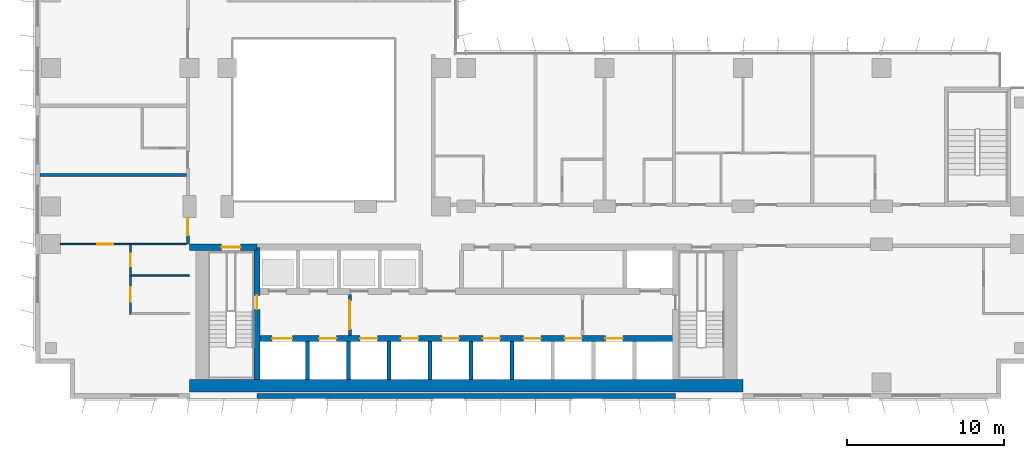
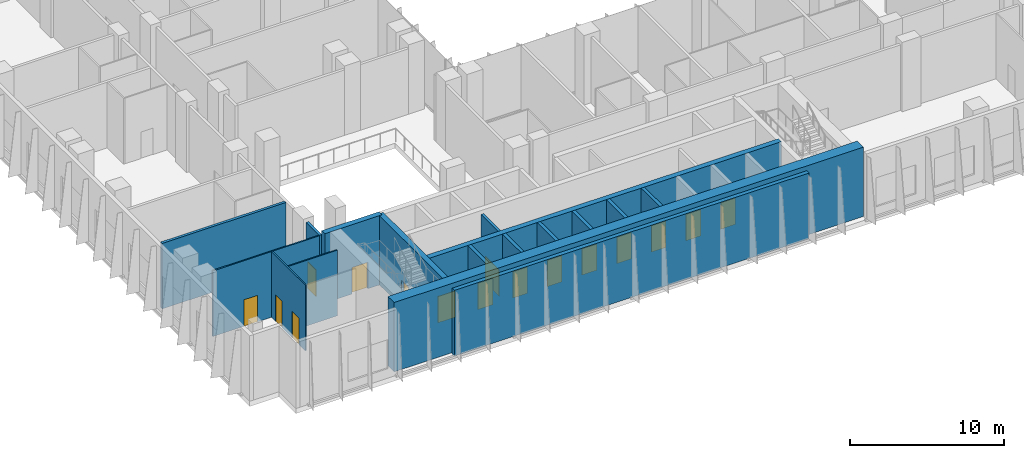
# One storey, part 12 of 26: 17 walls, 16 doors, 16 openings.
"""IFC4 building model written with IfcOpenShell, lengths in metres."""

from ifc_helpers import new_model, si_unit, direction, frame, frame_2d, origin, place, context, subcontext, project, spatial, rectangle, extrude, material, layer, layer_set, type_object, element, fill, save


model = new_model("IFC4")

# Units and contexts
model_context = context("Model", 3, precision=1e-05, world=origin(), true_north=direction((0.0, 1.0)))
body_context = subcontext(model_context, "Body", "Model", "MODEL_VIEW")
ifc_project = project(units=[si_unit("LENGTHUNIT", "METRE"), si_unit("AREAUNIT", "SQUARE_METRE"), si_unit("VOLUMEUNIT", "CUBIC_METRE"), si_unit("PLANEANGLEUNIT", "RADIAN"), si_unit("MASSUNIT", "GRAM", prefix="KILO")], contexts=[model_context])

# Site, building, storey
site_placement = place(None, origin())
site = spatial("IfcSite", under=ifc_project, at=site_placement, CompositionType="ELEMENT")
building_placement = place(site_placement, origin())
building = spatial("IfcBuilding", under=site, at=building_placement, Name="Kemantara Hotel Tower", CompositionType="ELEMENT")
storey_placement = place(building_placement, frame((0.0, 0.0, 101.89990234375)))
storey = spatial("IfcBuildingStorey", under=building, at=storey_placement, Name="L24", CompositionType="ELEMENT", Elevation=101.89990234375)

# Walls
ifc_material_1 = material(Name="Bronze anodised aluminium cladding on insulated steel stud wall", Category="steel")
ifc_layer_1 = layer(ifc_material_1, 0.300048828125)
ifc_layer_set_1 = layer_set([ifc_layer_1], Name="Bronze anodised aluminium cladding on insulated steel stud wall")
wall_type_1 = type_object("IfcWallType", Name="BRONZE METAL-CLAD EXTERNAL WALL 300", PredefinedType="STANDARD", material=ifc_layer_set_1)
wall_1_placement = place(storey_placement, frame((14.10009765625, 0.14990234375, 0.0), z_axis=(0.0, 0.0, 1.0), x_axis=(1.0, 0.0, 0.0)))
element("IfcWall", 1, at=wall_1_placement, inside=storey, type_object=wall_type_1, Name="EXTERNAL WALL L24 T2-R07-2", PredefinedType="STANDARD", context=body_context, shape_type="SweptSolid", body=[
    extrude(rectangle(XDim=26.599853515625, YDim=0.300048828125, at=frame_2d((13.2998046875, 0.0))), origin(), (0.0, 0.0, 1.0), 5.2001953125),
])
ifc_material_2 = material(Name="Concrete fc 70 MPa", Category="concrete")
ifc_layer_2 = layer(ifc_material_2, 0.25)
ifc_layer_set_2 = layer_set([ifc_layer_2], Name="Concrete fc 70 MPa")
wall_type_2 = type_object("IfcWallType", Name="CORE WALL 250 FC70", PredefinedType="SHEAR", material=ifc_layer_set_2)
for number, where, z_axis, x_axis, name in (
    (2, (17.300048828125, 1.199951171875, 0.0), (0.0, 0.0, 1.0), (0.0, 1.0, 0.0), "CORE WALL CW-DS17.3"),
    (3, (19.89990234375, 1.199951171875, 0.0), (0.0, 0.0, 1.0), (0.0, 1.0, 0.0), "CORE WALL CW-DS19.9"),
    (4, (22.5, 1.199951171875, 0.0), (0.0, 0.0, 1.0), (0.0, 1.0, 0.0), "CORE WALL CW-DS22.5"),
    (5, (25.10009765625, 1.199951171875, 0.0), (0.0, 0.0, 1.0), (0.0, 1.0, 0.0), "CORE WALL CW-DS25.1"),
    (6, (27.699951171875, 1.199951171875, 0.0), (0.0, 0.0, 1.0), (0.0, 1.0, 0.0), "CORE WALL CW-DS27.7"),
    (7, (30.300048828125, 1.199951171875, 0.0), (0.0, 0.0, 1.0), (0.0, 1.0, 0.0), "CORE WALL CW-DS30.3"),
):
    element("IfcWall", number, at=place(storey_placement, frame(where, z_axis=z_axis, x_axis=x_axis)), inside=storey, type_object=wall_type_2, Name=name, PredefinedType="SHEAR", context=body_context, shape_type="SweptSolid", body=[
        extrude(rectangle(XDim=2.400146484375, YDim=0.25, at=frame_2d((1.2001953125, 0.0))), origin(), (0.0, 0.0, 1.0), 5.5),
    ])

# Wall, opening, door
ifc_layer_3 = layer(ifc_material_2, 0.39990234375)
ifc_layer_set_3 = layer_set([ifc_layer_3], Name="Concrete fc 70 MPa")
wall_type_3 = type_object("IfcWallType", Name="CORE WALL 400 FC70", PredefinedType="SHEAR", material=ifc_layer_set_3)
wall_2_placement = place(storey_placement, frame((9.800048828125, 9.60009765625, 0.0), z_axis=(0.0, 0.0, 1.0), x_axis=(1.0, 0.0, 0.0)))
wall_2 = element("IfcWall", 8, at=wall_2_placement, inside=storey, type_object=wall_type_3, Name="CORE WALL CW-N1", PredefinedType="SHEAR", context=body_context, shape_type="SweptSolid", body=[
    extrude(rectangle(XDim=4.300048828125, YDim=0.39990234375, at=frame_2d((2.14990234375, 0.0))), origin(), (0.0, 0.0, 1.0), 5.5),
])
opening_1_placement = place(wall_2_placement, frame((2.050048828125, 0.0, 0.0)))
opening_1 = element("IfcOpeningElement", 9, at=opening_1_placement, cuts=wall_2, Name="Opening C17-ST1-C", PredefinedType="OPENING", context=body_context, shape_type="SweptSolid", body=[
    extrude(rectangle(XDim=1.199951171875, YDim=2.10009765625, at=frame_2d((0.60009765625, 1.050048828125))), frame((0.0, 0.2099609375, 0.0), z_axis=(0.0, -1.0, 0.0), x_axis=(1.0, 0.0, 0.0)), (0.0, 0.0, 1.0), 0.419921875),
])
ifc_material_3 = material(Name="Steel fire door", Category="steel")
door_type_1 = type_object("IfcDoorType", Name="Fire door FD90 1200 x 2100", OperationType="NOTDEFINED", PredefinedType="DOOR", material=ifc_material_3)
door_1_placement = place(opening_1_placement, frame((1.199951171875, 0.0, 0.0), z_axis=(0.0, 0.0, 1.0), x_axis=(-1.0, 0.0, 0.0)))
door_1 = element("IfcDoor", 10, at=door_1_placement, inside=storey, type_object=door_type_1, Name="Stair ST1 door to corridor", OperationType="SINGLE_SWING_LEFT", OverallHeight=2.10009765625, OverallWidth=1.199951171875, PredefinedType="DOOR", context=body_context, shape_type="SweptSolid", body=[
    extrude(rectangle(XDim=1.199951171875, YDim=2.10009765625, at=frame_2d((0.60009765625, 1.050048828125))), frame((0.0, 0.02490234375, 0.0), z_axis=(0.0, -1.0, 0.0), x_axis=(1.0, 0.0, 0.0)), (0.0, 0.0, 1.0), 0.050048828125),
])
fill(opening_1, door_1)

# Wall, openings, doors
wall_3_placement = place(storey_placement, frame((14.10009765625, 3.800048828125, 0.0), z_axis=(0.0, 0.0, 1.0), x_axis=(1.0, 0.0, 0.0)))
wall_3 = element("IfcWall", 11, at=wall_3_placement, inside=storey, type_object=wall_type_3, Name="CORE WALL CW-L1", PredefinedType="SHEAR", context=body_context, shape_type="SweptSolid", body=[
    extrude(rectangle(XDim=26.599853515625, YDim=0.39990234375, at=frame_2d((13.2998046875, 0.0))), origin(), (0.0, 0.0, 1.0), 5.5),
])
opening_2_placement = place(wall_3_placement, frame((0.949951171875, 0.0, 0.0)))
opening_2 = element("IfcOpeningElement", 12, at=opening_2_placement, cuts=wall_3, Name="Opening C17-LD-FF1", PredefinedType="OPENING", context=body_context, shape_type="SweptSolid", body=[
    extrude(rectangle(XDim=1.300048828125, YDim=2.10009765625, at=frame_2d((0.64990234375, 1.050048828125))), frame((0.0, 0.2099609375, 0.0), z_axis=(0.0, -1.0, 0.0), x_axis=(1.0, 0.0, 0.0)), (0.0, 0.0, 1.0), 0.419921875),
])
opening_3_placement = place(wall_3_placement, frame((3.949951171875, 0.0, 0.0)))
opening_3 = element("IfcOpeningElement", 13, at=opening_3_placement, cuts=wall_3, Name="Opening C17-LD-SV1", PredefinedType="OPENING", context=body_context, shape_type="SweptSolid", body=[
    extrude(rectangle(XDim=1.10009765625, YDim=2.10009765625, at=frame_2d((0.550048828125, 1.050048828125))), frame((0.0, 0.2099609375, 0.0), z_axis=(0.0, -1.0, 0.0), x_axis=(1.0, 0.0, 0.0)), (0.0, 0.0, 1.0), 0.419921875),
])
opening_4_placement = place(wall_3_placement, frame((6.550048828125, 0.0, 0.0)))
opening_4 = element("IfcOpeningElement", 14, at=opening_4_placement, cuts=wall_3, Name="Opening C17-LD-SV2", PredefinedType="OPENING", context=body_context, shape_type="SweptSolid", body=[
    extrude(rectangle(XDim=1.10009765625, YDim=2.10009765625, at=frame_2d((0.550048828125, 1.050048828125))), frame((0.0, 0.2099609375, 0.0), z_axis=(0.0, -1.0, 0.0), x_axis=(1.0, 0.0, 0.0)), (0.0, 0.0, 1.0), 0.419921875),
])
opening_5_placement = place(wall_3_placement, frame((9.14990234375, 0.0, 0.0)))
opening_5 = element("IfcOpeningElement", 15, at=opening_5_placement, cuts=wall_3, Name="Opening C17-LD-SV3", PredefinedType="OPENING", context=body_context, shape_type="SweptSolid", body=[
    extrude(rectangle(XDim=1.10009765625, YDim=2.10009765625, at=frame_2d((0.550048828125, 1.050048828125))), frame((0.0, 0.2099609375, 0.0), z_axis=(0.0, -1.0, 0.0), x_axis=(1.0, 0.0, 0.0)), (0.0, 0.0, 1.0), 0.419921875),
])
opening_6_placement = place(wall_3_placement, frame((11.75, 0.0, 0.0)))
opening_6 = element("IfcOpeningElement", 16, at=opening_6_placement, cuts=wall_3, Name="Opening C17-LD-LR1", PredefinedType="OPENING", context=body_context, shape_type="SweptSolid", body=[
    extrude(rectangle(XDim=1.10009765625, YDim=2.10009765625, at=frame_2d((0.550048828125, 1.050048828125))), frame((0.0, 0.2099609375, 0.0), z_axis=(0.0, -1.0, 0.0), x_axis=(1.0, 0.0, 0.0)), (0.0, 0.0, 1.0), 0.419921875),
])
opening_7_placement = place(wall_3_placement, frame((14.35009765625, 0.0, 0.0)))
opening_7 = element("IfcOpeningElement", 17, at=opening_7_placement, cuts=wall_3, Name="Opening C17-LD-LR2", PredefinedType="OPENING", context=body_context, shape_type="SweptSolid", body=[
    extrude(rectangle(XDim=1.10009765625, YDim=2.10009765625, at=frame_2d((0.550048828125, 1.050048828125))), frame((0.0, 0.2099609375, 0.0), z_axis=(0.0, -1.0, 0.0), x_axis=(1.0, 0.0, 0.0)), (0.0, 0.0, 1.0), 0.419921875),
])
opening_8_placement = place(wall_3_placement, frame((16.949951171875, 0.0, 0.0)))
opening_8 = element("IfcOpeningElement", 18, at=opening_8_placement, cuts=wall_3, Name="Opening C17-LD-LR3", PredefinedType="OPENING", context=body_context, shape_type="SweptSolid", body=[
    extrude(rectangle(XDim=1.10009765625, YDim=2.10009765625, at=frame_2d((0.550048828125, 1.050048828125))), frame((0.0, 0.2099609375, 0.0), z_axis=(0.0, -1.0, 0.0), x_axis=(1.0, 0.0, 0.0)), (0.0, 0.0, 1.0), 0.419921875),
])
opening_9_placement = place(wall_3_placement, frame((19.550048828125, 0.0, 0.0)))
opening_9 = element("IfcOpeningElement", 19, at=opening_9_placement, cuts=wall_3, Name="Opening C17-LD-LR4", PredefinedType="OPENING", context=body_context, shape_type="SweptSolid", body=[
    extrude(rectangle(XDim=1.10009765625, YDim=2.10009765625, at=frame_2d((0.550048828125, 1.050048828125))), frame((0.0, 0.2099609375, 0.0), z_axis=(0.0, -1.0, 0.0), x_axis=(1.0, 0.0, 0.0)), (0.0, 0.0, 1.0), 0.419921875),
])
opening_10_placement = place(wall_3_placement, frame((22.14990234375, 0.0, 0.0)))
opening_10 = element("IfcOpeningElement", 20, at=opening_10_placement, cuts=wall_3, Name="Opening C17-LD-SH1", PredefinedType="OPENING", context=body_context, shape_type="SweptSolid", body=[
    extrude(rectangle(XDim=1.10009765625, YDim=2.10009765625, at=frame_2d((0.550048828125, 1.050048828125))), frame((0.0, 0.2099609375, 0.0), z_axis=(0.0, -1.0, 0.0), x_axis=(1.0, 0.0, 0.0)), (0.0, 0.0, 1.0), 0.419921875),
])
ifc_material_4 = material(Name="Stainless steel lift door", Category="steel")
door_type_2 = type_object("IfcDoorType", Name="Lift landing door 1100 x 2100 FD60", OperationType="DOUBLE_DOOR_SLIDING", PredefinedType="DOOR", material=ifc_material_4)
door_2_placement = place(opening_3_placement, origin())
door_2 = element("IfcDoor", 21, at=door_2_placement, inside=storey, type_object=door_type_2, Name="Lift SV1 landing door", OperationType="DOUBLE_DOOR_SLIDING", OverallHeight=2.10009765625, OverallWidth=1.10009765625, PredefinedType="DOOR", context=body_context, shape_type="SweptSolid", body=[
    extrude(rectangle(XDim=1.10009765625, YDim=2.10009765625, at=frame_2d((0.550048828125, 1.050048828125))), frame((0.0, 0.02490234375, 0.0), z_axis=(0.0, -1.0, 0.0), x_axis=(1.0, 0.0, 0.0)), (0.0, 0.0, 1.0), 0.050048828125),
])
fill(opening_3, door_2)
door_3_placement = place(opening_4_placement, origin())
door_3 = element("IfcDoor", 22, at=door_3_placement, inside=storey, type_object=door_type_2, Name="Lift SV2 landing door", OperationType="DOUBLE_DOOR_SLIDING", OverallHeight=2.10009765625, OverallWidth=1.10009765625, PredefinedType="DOOR", context=body_context, shape_type="SweptSolid", body=[
    extrude(rectangle(XDim=1.10009765625, YDim=2.10009765625, at=frame_2d((0.550048828125, 1.050048828125))), frame((0.0, 0.02490234375, 0.0), z_axis=(0.0, -1.0, 0.0), x_axis=(1.0, 0.0, 0.0)), (0.0, 0.0, 1.0), 0.050048828125),
])
fill(opening_4, door_3)
door_4_placement = place(opening_5_placement, origin())
door_4 = element("IfcDoor", 23, at=door_4_placement, inside=storey, type_object=door_type_2, Name="Lift SV3 landing door", OperationType="DOUBLE_DOOR_SLIDING", OverallHeight=2.10009765625, OverallWidth=1.10009765625, PredefinedType="DOOR", context=body_context, shape_type="SweptSolid", body=[
    extrude(rectangle(XDim=1.10009765625, YDim=2.10009765625, at=frame_2d((0.550048828125, 1.050048828125))), frame((0.0, 0.02490234375, 0.0), z_axis=(0.0, -1.0, 0.0), x_axis=(1.0, 0.0, 0.0)), (0.0, 0.0, 1.0), 0.050048828125),
])
fill(opening_5, door_4)
door_5_placement = place(opening_6_placement, origin())
door_5 = element("IfcDoor", 24, at=door_5_placement, inside=storey, type_object=door_type_2, Name="Lift LR1 landing door", OperationType="DOUBLE_DOOR_SLIDING", OverallHeight=2.10009765625, OverallWidth=1.10009765625, PredefinedType="DOOR", context=body_context, shape_type="SweptSolid", body=[
    extrude(rectangle(XDim=1.10009765625, YDim=2.10009765625, at=frame_2d((0.550048828125, 1.050048828125))), frame((0.0, 0.02490234375, 0.0), z_axis=(0.0, -1.0, 0.0), x_axis=(1.0, 0.0, 0.0)), (0.0, 0.0, 1.0), 0.050048828125),
])
fill(opening_6, door_5)
door_6_placement = place(opening_7_placement, origin())
door_6 = element("IfcDoor", 25, at=door_6_placement, inside=storey, type_object=door_type_2, Name="Lift LR2 landing door", OperationType="DOUBLE_DOOR_SLIDING", OverallHeight=2.10009765625, OverallWidth=1.10009765625, PredefinedType="DOOR", context=body_context, shape_type="SweptSolid", body=[
    extrude(rectangle(XDim=1.10009765625, YDim=2.10009765625, at=frame_2d((0.550048828125, 1.050048828125))), frame((0.0, 0.02490234375, 0.0), z_axis=(0.0, -1.0, 0.0), x_axis=(1.0, 0.0, 0.0)), (0.0, 0.0, 1.0), 0.050048828125),
])
fill(opening_7, door_6)
door_7_placement = place(opening_8_placement, origin())
door_7 = element("IfcDoor", 26, at=door_7_placement, inside=storey, type_object=door_type_2, Name="Lift LR3 landing door", OperationType="DOUBLE_DOOR_SLIDING", OverallHeight=2.10009765625, OverallWidth=1.10009765625, PredefinedType="DOOR", context=body_context, shape_type="SweptSolid", body=[
    extrude(rectangle(XDim=1.10009765625, YDim=2.10009765625, at=frame_2d((0.550048828125, 1.050048828125))), frame((0.0, 0.02490234375, 0.0), z_axis=(0.0, -1.0, 0.0), x_axis=(1.0, 0.0, 0.0)), (0.0, 0.0, 1.0), 0.050048828125),
])
fill(opening_8, door_7)
door_8_placement = place(opening_9_placement, origin())
door_8 = element("IfcDoor", 27, at=door_8_placement, inside=storey, type_object=door_type_2, Name="Lift LR4 landing door", OperationType="DOUBLE_DOOR_SLIDING", OverallHeight=2.10009765625, OverallWidth=1.10009765625, PredefinedType="DOOR", context=body_context, shape_type="SweptSolid", body=[
    extrude(rectangle(XDim=1.10009765625, YDim=2.10009765625, at=frame_2d((0.550048828125, 1.050048828125))), frame((0.0, 0.02490234375, 0.0), z_axis=(0.0, -1.0, 0.0), x_axis=(1.0, 0.0, 0.0)), (0.0, 0.0, 1.0), 0.050048828125),
])
fill(opening_9, door_8)
door_9_placement = place(opening_10_placement, origin())
door_9 = element("IfcDoor", 28, at=door_9_placement, inside=storey, type_object=door_type_2, Name="Lift SH1 landing door", OperationType="DOUBLE_DOOR_SLIDING", OverallHeight=2.10009765625, OverallWidth=1.10009765625, PredefinedType="DOOR", context=body_context, shape_type="SweptSolid", body=[
    extrude(rectangle(XDim=1.10009765625, YDim=2.10009765625, at=frame_2d((0.550048828125, 1.050048828125))), frame((0.0, 0.02490234375, 0.0), z_axis=(0.0, -1.0, 0.0), x_axis=(1.0, 0.0, 0.0)), (0.0, 0.0, 1.0), 0.050048828125),
])
fill(opening_10, door_9)
door_type_3 = type_object("IfcDoorType", Name="Lift landing door 1300 x 2100 FD90", OperationType="DOUBLE_DOOR_SLIDING", PredefinedType="DOOR", material=ifc_material_4)
door_10_placement = place(opening_2_placement, origin())
door_10 = element("IfcDoor", 29, at=door_10_placement, inside=storey, type_object=door_type_3, Name="Lift FF1 landing door", OperationType="DOUBLE_DOOR_SLIDING", OverallHeight=2.10009765625, OverallWidth=1.300048828125, PredefinedType="DOOR", context=body_context, shape_type="SweptSolid", body=[
    extrude(rectangle(XDim=1.300048828125, YDim=2.10009765625, at=frame_2d((0.64990234375, 1.050048828125))), frame((0.0, 0.02490234375, 0.0), z_axis=(0.0, -1.0, 0.0), x_axis=(1.0, 0.0, 0.0)), (0.0, 0.0, 1.0), 0.050048828125),
])
fill(opening_2, door_10)

# Wall, opening, door
wall_4_placement = place(storey_placement, frame((14.10009765625, 1.199951171875, 0.0), z_axis=(0.0, 0.0, 1.0), x_axis=(0.0, 1.0, 0.0)))
wall_4 = element("IfcWall", 30, at=wall_4_placement, inside=storey, type_object=wall_type_3, Name="CORE WALL CW-ST1E", PredefinedType="SHEAR", context=body_context, shape_type="SweptSolid", body=[
    extrude(rectangle(XDim=8.400146484375, YDim=0.39990234375, at=frame_2d((4.2001953125, 0.0))), origin(), (0.0, 0.0, 1.0), 5.5),
])
opening_11_placement = place(wall_4_placement, frame((4.449951171875, 0.0, 0.0)))
opening_11 = element("IfcOpeningElement", 31, at=opening_11_placement, cuts=wall_4, Name="Opening C17-ST1-F", PredefinedType="OPENING", context=body_context, shape_type="SweptSolid", body=[
    extrude(rectangle(XDim=0.89990234375, YDim=2.10009765625, at=frame_2d((0.449951171875, 1.050048828125))), frame((0.0, 0.2099609375, 0.0), z_axis=(0.0, -1.0, 0.0), x_axis=(1.0, 0.0, 0.0)), (0.0, 0.0, 1.0), 0.419921875),
])
door_type_4 = type_object("IfcDoorType", Name="Fire door FD90 900 x 2100", OperationType="NOTDEFINED", PredefinedType="DOOR", material=ifc_material_3)
door_11_placement = place(opening_11_placement, origin())
door_11 = element("IfcDoor", 32, at=door_11_placement, inside=storey, type_object=door_type_4, Name="Stair ST1 door to firefighting lobby", OperationType="SINGLE_SWING_RIGHT", OverallHeight=2.10009765625, OverallWidth=0.89990234375, PredefinedType="DOOR", context=body_context, shape_type="SweptSolid", body=[
    extrude(rectangle(XDim=0.89990234375, YDim=2.10009765625, at=frame_2d((0.449951171875, 1.050048828125))), frame((0.0, 0.02490234375, 0.0), z_axis=(0.0, -1.0, 0.0), x_axis=(1.0, 0.0, 0.0)), (0.0, 0.0, 1.0), 0.050048828125),
])
fill(opening_11, door_11)

# Wall
ifc_layer_4 = layer(ifc_material_2, 0.800048828125)
ifc_layer_set_4 = layer_set([ifc_layer_4], Name="Concrete fc 70 MPa")
wall_type_4 = type_object("IfcWallType", Name="CORE WALL 800 FC70", PredefinedType="SHEAR", material=ifc_layer_set_4)
wall_5_placement = place(storey_placement, frame((9.800048828125, 0.800048828125, 0.0), z_axis=(0.0, 0.0, 1.0), x_axis=(1.0, 0.0, 0.0)))
element("IfcWall", 33, at=wall_5_placement, inside=storey, type_object=wall_type_4, Name="CORE WALL CW-S", PredefinedType="SHEAR", context=body_context, shape_type="SweptSolid", body=[
    extrude(rectangle(XDim=35.199951171875, YDim=0.800048828125, at=frame_2d((17.60009765625, 0.0))), origin(), (0.0, 0.0, 1.0), 5.5),
])

# Wall, opening, door
ifc_material_5 = material(Name="Gypsum board partition, steel studs and mineral wool, 200 mm", Category="steel")
ifc_layer_5 = layer(ifc_material_5, 0.199951171875)
ifc_layer_set_5 = layer_set([ifc_layer_5], Name="Gypsum board partition, steel studs and mineral wool, 200 mm")
wall_type_5 = type_object("IfcWallType", Name="CORRIDOR WALL 200", PredefinedType="PARTITIONING", material=ifc_layer_set_5)
wall_6_placement = place(storey_placement, frame((9.699951171875, 9.800048828125, 0.0), z_axis=(0.0, 0.0, 1.0), x_axis=(0.0, 1.0, 0.0)))
wall_6 = element("IfcWall", 34, at=wall_6_placement, inside=storey, type_object=wall_type_5, Name="CORRIDOR WALL 200 014", PredefinedType="PARTITIONING", context=body_context, shape_type="SweptSolid", body=[
    extrude(rectangle(XDim=1.699951171875, YDim=0.199951171875, at=frame_2d((0.85009765625, 0.0))), origin(), (0.0, 0.0, 1.0), 5.2001953125),
])
opening_12_placement = place(wall_6_placement, frame((0.550048828125, 0.0, 0.0)))
opening_12 = element("IfcOpeningElement", 35, at=opening_12_placement, cuts=wall_6, Name="Opening F10-015", PredefinedType="OPENING", context=body_context, shape_type="SweptSolid", body=[
    extrude(rectangle(XDim=1.10009765625, YDim=2.10009765625, at=frame_2d((0.550048828125, 1.050048828125))), frame((0.0, 0.10986328125, 0.0), z_axis=(0.0, -1.0, 0.0), x_axis=(1.0, 0.0, 0.0)), (0.0, 0.0, 1.0), 0.219970703125),
])
ifc_material_6 = material(Name="Hardwood veneer door leaf with steel frame", Category="steel")
door_type_5 = type_object("IfcDoorType", Name="SUITE ENTRANCE DOOR 1100 X 2100 FD30S", OperationType="NOTDEFINED", PredefinedType="DOOR", material=ifc_material_6)
door_12_placement = place(opening_12_placement, origin())
door_12 = element("IfcDoor", 36, at=door_12_placement, inside=storey, type_object=door_type_5, Name="SUITE ENTRANCE DOOR F10-015", OperationType="SINGLE_SWING_RIGHT", OverallHeight=2.10009765625, OverallWidth=1.10009765625, PredefinedType="DOOR", context=body_context, shape_type="SweptSolid", body=[
    extrude(rectangle(XDim=1.10009765625, YDim=2.10009765625, at=frame_2d((0.550048828125, 1.050048828125))), frame((0.0, 0.02490234375, 0.0), z_axis=(0.0, -1.0, 0.0), x_axis=(1.0, 0.0, 0.0)), (0.0, 0.0, 1.0), 0.050048828125),
])
fill(opening_12, door_12)

# Wall
ifc_layer_6 = layer(ifc_material_5, 0.199951171875)
ifc_layer_set_6 = layer_set([ifc_layer_6], Name="Gypsum board partition, steel studs and mineral wool, 200 mm")
wall_type_6 = type_object("IfcWallType", Name="GUEST ROOM PARTY WALL 200", PredefinedType="PARTITIONING", material=ifc_layer_set_6)
wall_7_placement = place(storey_placement, frame((0.31005859375, 14.199951171875, 0.0), z_axis=(0.0, 0.0, 1.0), x_axis=(1.0, 0.0, 0.0)))
element("IfcWall", 37, at=wall_7_placement, inside=storey, type_object=wall_type_6, Name="GUEST ROOM PARTY WALL 200 023", PredefinedType="PARTITIONING", context=body_context, shape_type="SweptSolid", body=[
    extrude(rectangle(XDim=9.2900390625, YDim=0.199951171875, at=frame_2d((4.64501953125, 0.0))), origin(), (0.0, 0.0, 1.0), 5.2001953125),
])

# Wall, opening, door
ifc_material_7 = material(Name="Gypsum board shaft wall")
ifc_layer_7 = layer(ifc_material_7, 0.199951171875)
ifc_layer_set_7 = layer_set([ifc_layer_7], Name="Gypsum board shaft wall")
wall_type_7 = type_object("IfcWallType", Name="Gypsum board shaft wall 200 mm", PredefinedType="PARTITIONING", material=ifc_layer_set_7)
wall_8_placement = place(storey_placement, frame((20.0, 4.0, 0.0), z_axis=(0.0, 0.0, 1.0), x_axis=(0.0, 1.0, 0.0)))
wall_8 = element("IfcWall", 38, at=wall_8_placement, inside=storey, type_object=wall_type_7, Name="Firefighting lobby partition west", PredefinedType="PARTITIONING", context=body_context, shape_type="SweptSolid", body=[
    extrude(rectangle(XDim=2.60009765625, YDim=0.199951171875, at=frame_2d((1.300048828125, 0.0))), origin(), (0.0, 0.0, 1.0), 5.2001953125),
])
opening_13_placement = place(wall_8_placement, frame((0.39990234375, 0.0, 0.0)))
opening_13 = element("IfcOpeningElement", 39, at=opening_13_placement, cuts=wall_8, Name="Opening C17-FFW", PredefinedType="OPENING", context=body_context, shape_type="SweptSolid", body=[
    extrude(rectangle(XDim=1.800048828125, YDim=2.10009765625, at=frame_2d((0.89990234375, 1.050048828125))), frame((0.0, 0.10986328125, 0.0), z_axis=(0.0, -1.0, 0.0), x_axis=(1.0, 0.0, 0.0)), (0.0, 0.0, 1.0), 0.219970703125),
])
door_type_6 = type_object("IfcDoorType", Name="Fire door pair FD60 1800 x 2100", OperationType="DOUBLE_DOOR_SINGLE_SWING", PredefinedType="DOOR", material=ifc_material_3)
door_13_placement = place(opening_13_placement, origin())
door_13 = element("IfcDoor", 40, at=door_13_placement, inside=storey, type_object=door_type_6, Name="Firefighting lobby door west", OperationType="DOUBLE_DOOR_SINGLE_SWING", OverallHeight=2.10009765625, OverallWidth=1.800048828125, PredefinedType="DOOR", context=body_context, shape_type="SweptSolid", body=[
    extrude(rectangle(XDim=1.800048828125, YDim=2.10009765625, at=frame_2d((0.89990234375, 1.050048828125))), frame((0.0, 0.02490234375, 0.0), z_axis=(0.0, -1.0, 0.0), x_axis=(1.0, 0.0, 0.0)), (0.0, 0.0, 1.0), 0.050048828125),
])
fill(opening_13, door_13)

# Wall, openings, doors
ifc_material_8 = material(Name="Gypsum board partition on steel studs, 100 mm", Category="steel")
ifc_layer_8 = layer(ifc_material_8, 0.10009765625)
ifc_layer_set_8 = layer_set([ifc_layer_8], Name="Gypsum board partition on steel studs, 100 mm")
wall_type_8 = type_object("IfcWallType", Name="ROOM PARTITION 100", PredefinedType="PARTITIONING", material=ifc_layer_set_8)
wall_9_placement = place(storey_placement, frame((6.050048828125, 9.75, 0.0), z_axis=(0.0, 0.0, 1.0), x_axis=(0.0, -1.0, 0.0)))
wall_9 = element("IfcWall", 41, at=wall_9_placement, inside=storey, type_object=wall_type_8, Name="ROOM PARTITION 100 063", PredefinedType="PARTITIONING", context=body_context, shape_type="SweptSolid", body=[
    extrude(rectangle(XDim=4.39990234375, YDim=0.10009765625, at=frame_2d((2.199951171875, 0.0))), origin(), (0.0, 0.0, 1.0), 5.2001953125),
])
opening_14_placement = place(wall_9_placement, frame((2.699951171875, 0.0, 0.0)))
opening_14 = element("IfcOpeningElement", 42, at=opening_14_placement, cuts=wall_9, Name="Opening F10-017", PredefinedType="OPENING", context=body_context, shape_type="SweptSolid", body=[
    extrude(rectangle(XDim=0.89990234375, YDim=2.10009765625, at=frame_2d((0.449951171875, 1.050048828125))), frame((0.0, 0.06005859375, 0.0), z_axis=(0.0, -1.0, 0.0), x_axis=(1.0, 0.0, 0.0)), (0.0, 0.0, 1.0), 0.1201171875),
])
opening_15_placement = place(wall_9_placement, frame((0.550048828125, 0.0, 0.0)))
opening_15 = element("IfcOpeningElement", 43, at=opening_15_placement, cuts=wall_9, Name="Opening F10-018", PredefinedType="OPENING", context=body_context, shape_type="SweptSolid", body=[
    extrude(rectangle(XDim=0.800048828125, YDim=2.10009765625, at=frame_2d((0.39990234375, 1.050048828125))), frame((0.0, 0.06005859375, 0.0), z_axis=(0.0, -1.0, 0.0), x_axis=(1.0, 0.0, 0.0)), (0.0, 0.0, 1.0), 0.1201171875),
])
door_type_7 = type_object("IfcDoorType", Name="BATHROOM DOOR 900 X 2100", OperationType="NOTDEFINED", PredefinedType="DOOR", material=ifc_material_6)
door_14_placement = place(opening_14_placement, origin())
door_14 = element("IfcDoor", 44, at=door_14_placement, inside=storey, type_object=door_type_7, Name="BATHROOM DOOR F10-017", OperationType="SINGLE_SWING_LEFT", OverallHeight=2.10009765625, OverallWidth=0.89990234375, PredefinedType="DOOR", context=body_context, shape_type="SweptSolid", body=[
    extrude(rectangle(XDim=0.89990234375, YDim=2.10009765625, at=frame_2d((0.449951171875, 1.050048828125))), frame((0.0, 0.02490234375, 0.0), z_axis=(0.0, -1.0, 0.0), x_axis=(1.0, 0.0, 0.0)), (0.0, 0.0, 1.0), 0.050048828125),
])
fill(opening_14, door_14)
door_type_8 = type_object("IfcDoorType", Name="WARDROBE DOOR 800 X 2100", OperationType="NOTDEFINED", PredefinedType="DOOR", material=ifc_material_6)
door_15_placement = place(opening_15_placement, origin())
door_15 = element("IfcDoor", 45, at=door_15_placement, inside=storey, type_object=door_type_8, Name="WARDROBE DOOR F10-018", OperationType="SINGLE_SWING_LEFT", OverallHeight=2.10009765625, OverallWidth=0.800048828125, PredefinedType="DOOR", context=body_context, shape_type="SweptSolid", body=[
    extrude(rectangle(XDim=0.800048828125, YDim=2.10009765625, at=frame_2d((0.39990234375, 1.050048828125))), frame((0.0, 0.02490234375, 0.0), z_axis=(0.0, -1.0, 0.0), x_axis=(1.0, 0.0, 0.0)), (0.0, 0.0, 1.0), 0.050048828125),
])
fill(opening_15, door_15)

# Wall, opening, door
wall_10_placement = place(storey_placement, frame((9.60009765625, 9.800048828125, 0.0), z_axis=(0.0, 0.0, 1.0), x_axis=(-1.0, 0.0, 0.0)))
wall_10 = element("IfcWall", 46, at=wall_10_placement, inside=storey, type_object=wall_type_8, Name="ROOM PARTITION 100 065", PredefinedType="PARTITIONING", context=body_context, shape_type="SweptSolid", body=[
    extrude(rectangle(XDim=8.0, YDim=0.10009765625, at=frame_2d((4.0, 0.0))), origin(), (0.0, 0.0, 1.0), 5.2001953125),
])
opening_16_placement = place(wall_10_placement, frame((4.64990234375, 0.0, 0.0)))
opening_16 = element("IfcOpeningElement", 47, at=opening_16_placement, cuts=wall_10, Name="Opening F10-016", PredefinedType="OPENING", context=body_context, shape_type="SweptSolid", body=[
    extrude(rectangle(XDim=1.0, YDim=2.10009765625, at=frame_2d((0.5, 1.050048828125))), frame((0.0, 0.06005859375, 0.0), z_axis=(0.0, -1.0, 0.0), x_axis=(1.0, 0.0, 0.0)), (0.0, 0.0, 1.0), 0.1201171875),
])
door_type_9 = type_object("IfcDoorType", Name="INTERNAL DOOR 1000 X 2100", OperationType="NOTDEFINED", PredefinedType="DOOR", material=ifc_material_6)
door_16_placement = place(opening_16_placement, origin())
door_16 = element("IfcDoor", 48, at=door_16_placement, inside=storey, type_object=door_type_9, Name="INTERNAL DOOR F10-016", OperationType="SINGLE_SWING_LEFT", OverallHeight=2.10009765625, OverallWidth=1.0, PredefinedType="DOOR", context=body_context, shape_type="SweptSolid", body=[
    extrude(rectangle(XDim=1.0, YDim=2.10009765625, at=frame_2d((0.5, 1.050048828125))), frame((0.0, 0.02490234375, 0.0), z_axis=(0.0, -1.0, 0.0), x_axis=(1.0, 0.0, 0.0)), (0.0, 0.0, 1.0), 0.050048828125),
])
fill(opening_16, door_16)

# Wall
wall_11_placement = place(storey_placement, frame((6.10009765625, 7.800048828125, 0.0), z_axis=(0.0, 0.0, 1.0), x_axis=(1.0, 0.0, 0.0)))
element("IfcWall", 49, at=wall_11_placement, inside=storey, type_object=wall_type_8, Name="ROOM PARTITION 100 066", PredefinedType="PARTITIONING", context=body_context, shape_type="SweptSolid", body=[
    extrude(rectangle(XDim=3.69970703125, YDim=0.10009765625, at=frame_2d((1.849853515625, 0.0))), origin(), (0.0, 0.0, 1.0), 5.2001953125),
])

save(model, "model.ifc")
